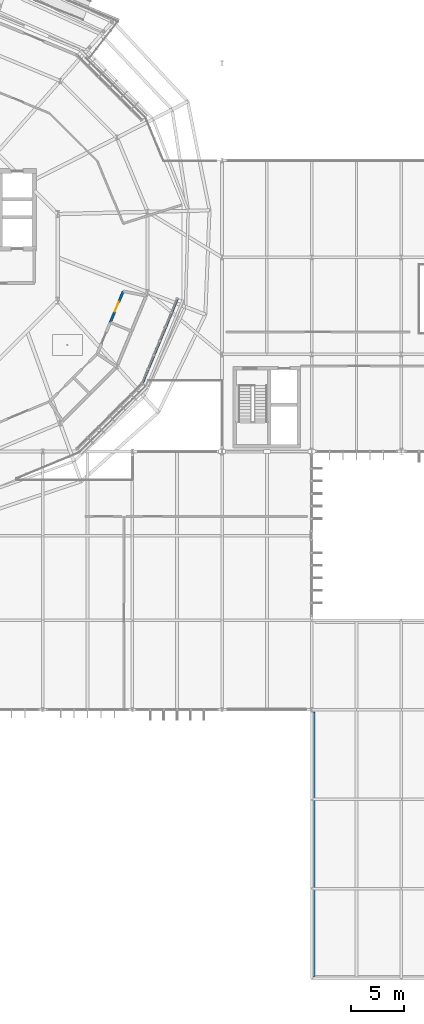
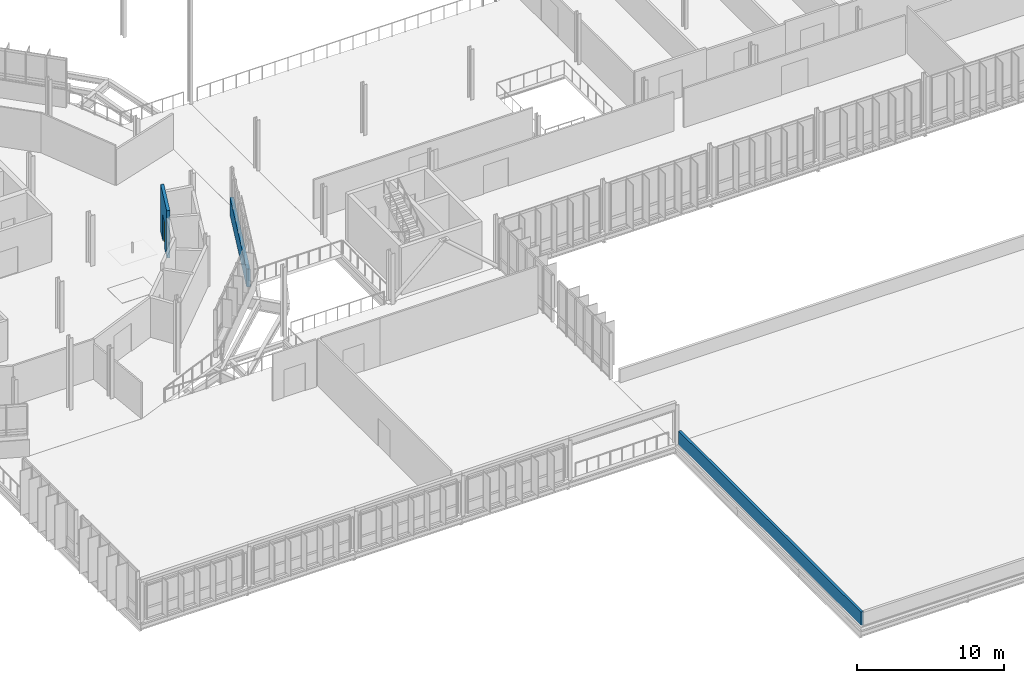
# One storey, part 87 of 107: 3 walls, 1 door, 1 opening.
"""IFC4 building model written with IfcOpenShell, lengths in metres."""

from ifc_helpers import new_model, si_unit, derived_unit, direction, frame, frame_2d, origin, place, context, subcontext, project, spatial, rectangle, extrude, material, layer, layer_set, type_object, element, fill, save


model = new_model("IFC4")

# Units and contexts
model_context = context("Model", 3, precision=1e-05, world=origin(), true_north=direction((0.0, 1.0)))
body_context = subcontext(model_context, "Body", "Model", "MODEL_VIEW")
ifc_project = project(units=[si_unit("LENGTHUNIT", "METRE"), si_unit("AREAUNIT", "SQUARE_METRE"), si_unit("VOLUMEUNIT", "CUBIC_METRE"), si_unit("PLANEANGLEUNIT", "RADIAN"), si_unit("MASSUNIT", "GRAM", prefix="KILO"), derived_unit("THERMALTRANSMITTANCEUNIT", [(si_unit("MASSUNIT", "GRAM", prefix="KILO"), 1), (si_unit("TIMEUNIT", "SECOND"), -3), (si_unit("THERMODYNAMICTEMPERATUREUNIT", "KELVIN"), -1)])], contexts=[model_context])

# Site, building, storey
site_placement = place(None, origin())
site = spatial("IfcSite", under=ifc_project, at=site_placement, CompositionType="ELEMENT")
building_placement = place(site_placement, origin())
building = spatial("IfcBuilding", under=site, at=building_placement, Name="Makaiwela Harbour Ferry Terminal", CompositionType="ELEMENT")
storey_placement = place(building_placement, frame((0.0, 0.0, 9.60009765625)))
storey = spatial("IfcBuildingStorey", under=building, at=storey_placement, Name="L02", CompositionType="ELEMENT", Elevation=9.60009765625)

# Walls
ifc_material_1 = material(Name="Precast concrete f'c 40 MPa (6000 psi)", Category="concrete")
ifc_layer_1 = layer(ifc_material_1, 0.260009765625)
ifc_layer_set_1 = layer_set([ifc_layer_1], Name="Precast concrete f'c 40 MPa (6000 psi)")
wall_type_1 = type_object("IfcWallType", Name="ENV-WL-EXT260", PredefinedType="SOLIDWALL", material=ifc_layer_set_1)
wall_1_placement = place(storey_placement, frame((55.52001953125, 55.803955078125, 0.0), z_axis=(0.0, 0.0, 1.0), x_axis=(0.382696032241, 0.923874313371, 0.0)))
element("IfcWall", 1, at=wall_1_placement, inside=storey, type_object=wall_type_1, Name="Drum Spandrel Backup Wall EW-L02-14", PredefinedType="SOLIDWALL", context=body_context, shape_type="SweptSolid", body=[
    extrude(rectangle(XDim=8.60205078125, YDim=0.260009765625, at=frame_2d((4.301025390625, 0.0))), origin(), (0.0, 0.0, 1.0), 1.47998046875),
])
ifc_layer_2 = layer(ifc_material_1, 0.199951171875)
ifc_layer_set_2 = layer_set([ifc_layer_2], Name="Precast concrete f'c 40 MPa (6000 psi)")
wall_type_2 = type_object("IfcWallType", Name="ENV-WL-PAR200", PredefinedType="PARAPET", material=ifc_layer_set_2)
wall_2_placement = place(storey_placement, frame((71.60009765625, 25.0, 0.0), z_axis=(0.0, 0.0, 1.0), x_axis=(0.0, -1.0, 0.0)))
element("IfcWall", 2, at=wall_2_placement, inside=storey, type_object=wall_type_2, Name="Roof Parapet Wall PW-008", PredefinedType="PARAPET", context=body_context, shape_type="SweptSolid", body=[
    extrude(rectangle(XDim=24.800048828125, YDim=0.199951171875, at=frame_2d((12.39990234375, 0.0))), origin(), (0.0, 0.0, 1.0), 1.119873046875),
])

# Wall, opening, door
ifc_material_2 = material(Name="Moisture-resistant acoustic gypsum partition", Category="gypsum")
ifc_layer_3 = layer(ifc_material_2, 0.22998046875)
ifc_layer_set_3 = layer_set([ifc_layer_3], Name="Moisture-resistant acoustic gypsum partition")
wall_type_3 = type_object("IfcWallType", Name="INT-WL-PLM230", PredefinedType="PLUMBINGWALL", material=ifc_layer_set_3)
wall_3_placement = place(storey_placement, frame((52.524658203125, 61.5009765625, 0.0), z_axis=(0.0, 0.0, 1.0), x_axis=(0.382689618566, 0.923876970079, 0.0)))
wall_3 = element("IfcWall", 3, at=wall_3_placement, inside=storey, type_object=wall_type_3, Name="Interior Wall IW-0316", PredefinedType="PLUMBINGWALL", context=body_context, shape_type="SweptSolid", body=[
    extrude(rectangle(XDim=3.169921875, YDim=0.22998046875, at=frame_2d((1.5849609375, 0.0))), origin(), (0.0, 0.0, 1.0), 3.919921875),
])
opening_placement = place(wall_3_placement, frame((1.09521484375, 0.0, 0.0)))
opening = element("IfcOpeningElement", 4, at=opening_placement, cuts=wall_3, Name="Opening D-12", PredefinedType="OPENING", context=body_context, shape_type="SweptSolid", body=[
    extrude(rectangle(XDim=0.97998046875, YDim=2.14990234375, at=frame_2d((0.489990234375, 1.074951171875))), frame((0.0, 0.125, 0.0), z_axis=(0.0, -1.0, 0.0), x_axis=(1.0, 0.0, 0.0)), (0.0, 0.0, 1.0), 0.25),
])
ifc_material_3 = material(Name="Solid-core marine hardwood and painted steel frame", Category="steel")
door_type = type_object("IfcDoorType", Name="INT-DR-WC098", OperationType="NOTDEFINED", PredefinedType="DOOR", material=ifc_material_3)
door_placement = place(opening_placement, frame((0.97998046875, 0.0, 0.0), z_axis=(0.0, 0.0, 1.0), x_axis=(-1.0, 0.0, 0.0)))
door = element("IfcDoor", 5, at=door_placement, inside=storey, type_object=door_type, Name="Door D-12", OperationType="SINGLE_SWING_LEFT", OverallHeight=2.14990234375, OverallWidth=0.97998046875, PredefinedType="DOOR", context=body_context, shape_type="SweptSolid", body=[
    extrude(rectangle(XDim=0.97998046875, YDim=2.14990234375, at=frame_2d((0.489990234375, 1.074951171875))), frame((0.0, 0.02490234375, 0.0), z_axis=(0.0, -1.0, 0.0), x_axis=(1.0, 0.0, 0.0)), (0.0, 0.0, 1.0), 0.050048828125),
])
fill(opening, door)

save(model, "model.ifc")
